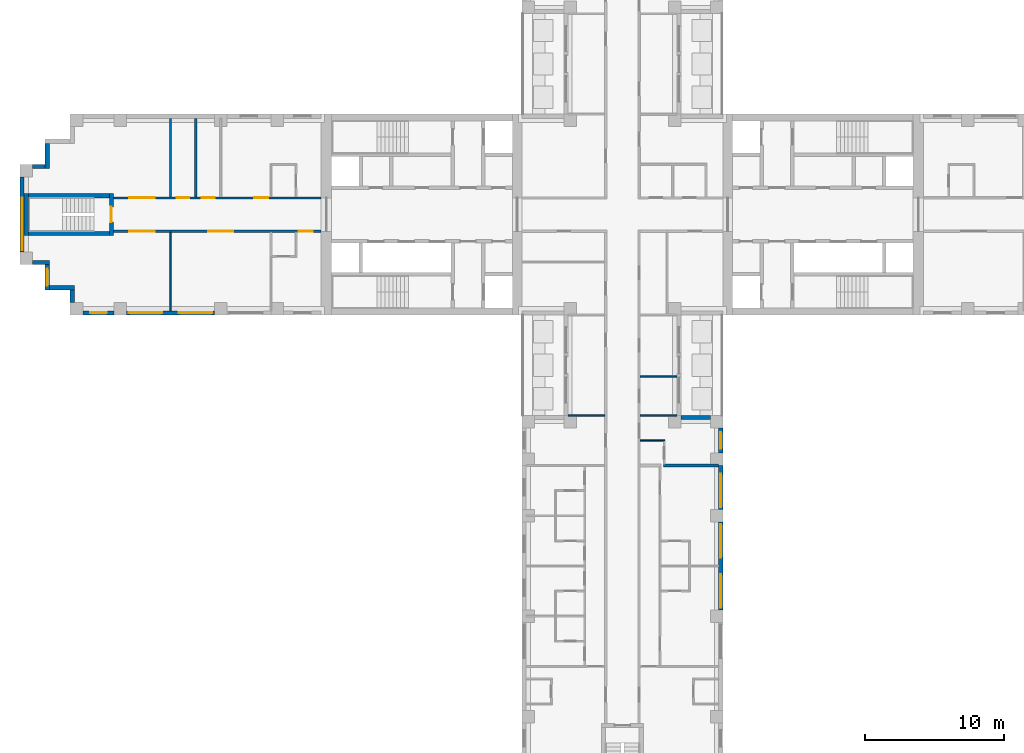
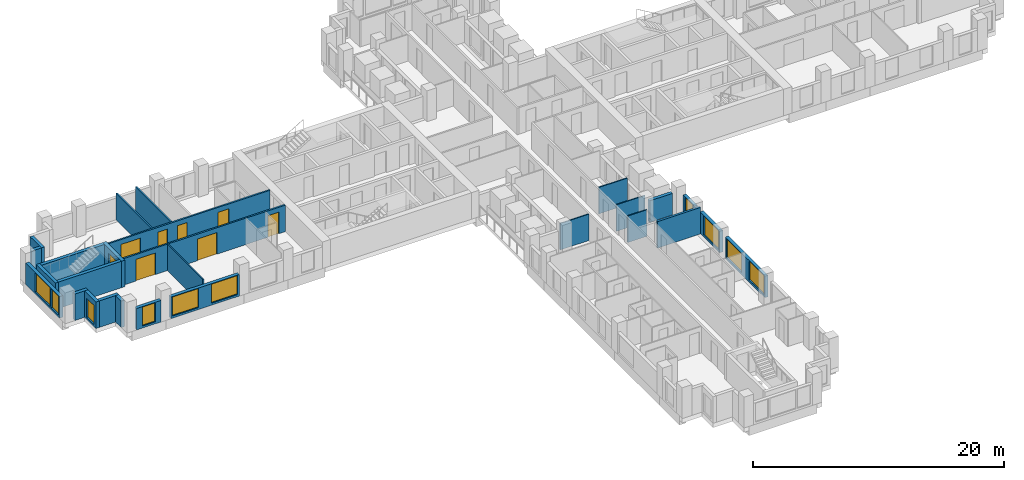
# One storey, part 5 of 13: 27 walls, 10 windows, 8 doors, 18 openings.
"""IFC4 building model written with IfcOpenShell, lengths in metres."""

from ifc_helpers import new_model, si_unit, direction, frame, frame_2d, origin, place, context, subcontext, project, spatial, rectangle, extrude, material, layer, layer_set, type_object, element, fill, save


model = new_model("IFC4")

# Units and contexts
model_context = context("Model", 3, precision=1e-05, world=origin(), true_north=direction((0.0, 1.0)))
body_context = subcontext(model_context, "Body", "Model", "MODEL_VIEW")
ifc_project = project(units=[si_unit("LENGTHUNIT", "METRE"), si_unit("AREAUNIT", "SQUARE_METRE"), si_unit("VOLUMEUNIT", "CUBIC_METRE"), si_unit("PLANEANGLEUNIT", "RADIAN"), si_unit("MASSUNIT", "GRAM", prefix="KILO")], contexts=[model_context])

# Site, building, storey
site_placement = place(None, origin())
site = spatial("IfcSite", under=ifc_project, at=site_placement, CompositionType="ELEMENT")
building_placement = place(site_placement, origin())
building = spatial("IfcBuilding", under=site, at=building_placement, Name="Fustian Cross Tower", CompositionType="ELEMENT")
storey_placement = place(building_placement, frame((0.0, 0.0, 84.89990234375)))
storey = spatial("IfcBuildingStorey", under=building, at=storey_placement, Name="L26", CompositionType="ELEMENT", Elevation=84.89990234375)

# Wall, openings, doors
ifc_material_1 = material(Name="Plasterboard on steel stud", Category="steel")
ifc_layer_1 = layer(ifc_material_1, 0.14990234375)
ifc_layer_set_1 = layer_set([ifc_layer_1], Name="Plasterboard on steel stud")
wall_type_1 = type_object("IfcWallType", Name="COMPARTMENT WALL 150 EI 60", PredefinedType="PARTITIONING", material=ifc_layer_set_1)
wall_1_placement = place(storey_placement, frame((-36.5, -1.199951171875, 0.0), z_axis=(0.0, 0.0, 1.0), x_axis=(1.0, 0.0, 0.0)))
wall_1 = element("IfcWall", 1, at=wall_1_placement, inside=storey, type_object=wall_type_1, Name="Partition 1", PredefinedType="PARTITIONING", context=body_context, shape_type="SweptSolid", body=[
    extrude(rectangle(XDim=14.89990234375, YDim=0.14990234375, at=frame_2d((7.449951171875, 0.0))), origin(), (0.0, 0.0, 1.0), 2.5751953125),
])
opening_1_placement = place(wall_1_placement, frame((13.300048828125, 0.0, 0.0)))
opening_1 = element("IfcOpeningElement", 2, at=opening_1_placement, cuts=wall_1, Name="Opening D13024", PredefinedType="OPENING", context=body_context, shape_type="SweptSolid", body=[
    extrude(rectangle(XDim=1.0, YDim=2.10009765625, at=frame_2d((0.5, 1.050048828125))), frame((0.0, 0.0849609375, 0.0), z_axis=(0.0, -1.0, 0.0), x_axis=(1.0, 0.0, 0.0)), (0.0, 0.0, 1.0), 0.169921875),
])
opening_2_placement = place(wall_1_placement, frame((6.800048828125, 0.0, 0.0)))
opening_2 = element("IfcOpeningElement", 3, at=opening_2_placement, cuts=wall_1, Name="Opening D13025", PredefinedType="OPENING", context=body_context, shape_type="SweptSolid", body=[
    extrude(rectangle(XDim=1.800048828125, YDim=2.10009765625, at=frame_2d((0.89990234375, 1.050048828125))), frame((0.0, 0.0849609375, 0.0), z_axis=(0.0, -1.0, 0.0), x_axis=(1.0, 0.0, 0.0)), (0.0, 0.0, 1.0), 0.169921875),
])
opening_3_placement = place(wall_1_placement, frame((1.14990234375, 0.0, 0.0)))
opening_3 = element("IfcOpeningElement", 4, at=opening_3_placement, cuts=wall_1, Name="Opening D13026", PredefinedType="OPENING", context=body_context, shape_type="SweptSolid", body=[
    extrude(rectangle(XDim=1.800048828125, YDim=2.10009765625, at=frame_2d((0.89990234375, 1.050048828125))), frame((0.0, 0.0849609375, 0.0), z_axis=(0.0, -1.0, 0.0), x_axis=(1.0, 0.0, 0.0)), (0.0, 0.0, 1.0), 0.169921875),
])
ifc_material_2 = material(Name="Timber fire door set", Category="wood")
door_type_1 = type_object("IfcDoorType", Name="FIRE DOUBLE DOOR 1800 FD30S", OperationType="DOUBLE_DOOR_DOUBLE_SWING", PredefinedType="DOOR", material=ifc_material_2)
door_1_placement = place(opening_2_placement, origin())
door_1 = element("IfcDoor", 5, at=door_1_placement, inside=storey, type_object=door_type_1, Name="Door D13025", OperationType="DOUBLE_DOOR_DOUBLE_SWING", OverallHeight=2.10009765625, OverallWidth=1.800048828125, PredefinedType="DOOR", context=body_context, shape_type="SweptSolid", body=[
    extrude(rectangle(XDim=1.800048828125, YDim=2.10009765625, at=frame_2d((0.89990234375, 1.050048828125))), frame((0.0, 0.02490234375, 0.0), z_axis=(0.0, -1.0, 0.0), x_axis=(1.0, 0.0, 0.0)), (0.0, 0.0, 1.0), 0.050048828125),
])
fill(opening_2, door_1)
door_2_placement = place(opening_3_placement, origin())
door_2 = element("IfcDoor", 6, at=door_2_placement, inside=storey, type_object=door_type_1, Name="Door D13026", OperationType="DOUBLE_DOOR_DOUBLE_SWING", OverallHeight=2.10009765625, OverallWidth=1.800048828125, PredefinedType="DOOR", context=body_context, shape_type="SweptSolid", body=[
    extrude(rectangle(XDim=1.800048828125, YDim=2.10009765625, at=frame_2d((0.89990234375, 1.050048828125))), frame((0.0, 0.02490234375, 0.0), z_axis=(0.0, -1.0, 0.0), x_axis=(1.0, 0.0, 0.0)), (0.0, 0.0, 1.0), 0.050048828125),
])
fill(opening_3, door_2)
ifc_material_3 = material(Name="Timber fire door set", Category="wood")
door_type_2 = type_object("IfcDoorType", Name="FIRE SWING DOOR 1000 FD30S", OperationType="SINGLE_SWING_LEFT", PredefinedType="DOOR", material=ifc_material_3)
door_3_placement = place(opening_1_placement, frame((1.0, 0.0, 0.0), z_axis=(0.0, 0.0, 1.0), x_axis=(-1.0, 0.0, 0.0)))
door_3 = element("IfcDoor", 7, at=door_3_placement, inside=storey, type_object=door_type_2, Name="Door D13024", OperationType="SINGLE_SWING_RIGHT", OverallHeight=2.10009765625, OverallWidth=1.0, PredefinedType="DOOR", context=body_context, shape_type="SweptSolid", body=[
    extrude(rectangle(XDim=1.0, YDim=2.10009765625, at=frame_2d((0.5, 1.050048828125))), frame((0.0, 0.02490234375, 0.0), z_axis=(0.0, -1.0, 0.0), x_axis=(1.0, 0.0, 0.0)), (0.0, 0.0, 1.0), 0.050048828125),
])
fill(opening_1, door_3)

wall_2_placement = place(storey_placement, frame((-36.5, 1.199951171875, 0.0), z_axis=(0.0, 0.0, 1.0), x_axis=(1.0, 0.0, 0.0)))
wall_2 = element("IfcWall", 8, at=wall_2_placement, inside=storey, type_object=wall_type_1, Name="Partition 2", PredefinedType="PARTITIONING", context=body_context, shape_type="SweptSolid", body=[
    extrude(rectangle(XDim=14.89990234375, YDim=0.14990234375, at=frame_2d((7.449951171875, 0.0))), origin(), (0.0, 0.0, 1.0), 2.5751953125),
])
opening_4_placement = place(wall_2_placement, frame((10.10009765625, 0.0, 0.0)))
opening_4 = element("IfcOpeningElement", 9, at=opening_4_placement, cuts=wall_2, Name="Opening D13028", PredefinedType="OPENING", context=body_context, shape_type="SweptSolid", body=[
    extrude(rectangle(XDim=1.0, YDim=2.10009765625, at=frame_2d((0.5, 1.050048828125))), frame((0.0, 0.0849609375, 0.0), z_axis=(0.0, -1.0, 0.0), x_axis=(1.0, 0.0, 0.0)), (0.0, 0.0, 1.0), 0.169921875),
])
opening_5_placement = place(wall_2_placement, frame((6.35009765625, 0.0, 0.0)))
opening_5 = element("IfcOpeningElement", 10, at=opening_5_placement, cuts=wall_2, Name="Opening D13029", PredefinedType="OPENING", context=body_context, shape_type="SweptSolid", body=[
    extrude(rectangle(XDim=0.89990234375, YDim=2.10009765625, at=frame_2d((0.449951171875, 1.050048828125))), frame((0.0, 0.0849609375, 0.0), z_axis=(0.0, -1.0, 0.0), x_axis=(1.0, 0.0, 0.0)), (0.0, 0.0, 1.0), 0.169921875),
])
opening_6_placement = place(wall_2_placement, frame((4.550048828125, 0.0, 0.0)))
opening_6 = element("IfcOpeningElement", 11, at=opening_6_placement, cuts=wall_2, Name="Opening D13030", PredefinedType="OPENING", context=body_context, shape_type="SweptSolid", body=[
    extrude(rectangle(XDim=0.89990234375, YDim=2.10009765625, at=frame_2d((0.449951171875, 1.050048828125))), frame((0.0, 0.0849609375, 0.0), z_axis=(0.0, -1.0, 0.0), x_axis=(1.0, 0.0, 0.0)), (0.0, 0.0, 1.0), 0.169921875),
])
opening_7_placement = place(wall_2_placement, frame((1.14990234375, 0.0, 0.0)))
opening_7 = element("IfcOpeningElement", 12, at=opening_7_placement, cuts=wall_2, Name="Opening D13031", PredefinedType="OPENING", context=body_context, shape_type="SweptSolid", body=[
    extrude(rectangle(XDim=1.800048828125, YDim=2.10009765625, at=frame_2d((0.89990234375, 1.050048828125))), frame((0.0, 0.0849609375, 0.0), z_axis=(0.0, -1.0, 0.0), x_axis=(1.0, 0.0, 0.0)), (0.0, 0.0, 1.0), 0.169921875),
])
door_4_placement = place(opening_7_placement, frame((1.800048828125, 0.0, 0.0), z_axis=(0.0, 0.0, 1.0), x_axis=(-1.0, 0.0, 0.0)))
door_4 = element("IfcDoor", 13, at=door_4_placement, inside=storey, type_object=door_type_1, Name="Door D13031", OperationType="DOUBLE_DOOR_DOUBLE_SWING", OverallHeight=2.10009765625, OverallWidth=1.800048828125, PredefinedType="DOOR", context=body_context, shape_type="SweptSolid", body=[
    extrude(rectangle(XDim=1.800048828125, YDim=2.10009765625, at=frame_2d((0.89990234375, 1.050048828125))), frame((0.0, 0.02490234375, 0.0), z_axis=(0.0, -1.0, 0.0), x_axis=(1.0, 0.0, 0.0)), (0.0, 0.0, 1.0), 0.050048828125),
])
fill(opening_7, door_4)
door_5_placement = place(opening_4_placement, origin())
door_5 = element("IfcDoor", 14, at=door_5_placement, inside=storey, type_object=door_type_2, Name="Door D13028", OperationType="SINGLE_SWING_RIGHT", OverallHeight=2.10009765625, OverallWidth=1.0, PredefinedType="DOOR", context=body_context, shape_type="SweptSolid", body=[
    extrude(rectangle(XDim=1.0, YDim=2.10009765625, at=frame_2d((0.5, 1.050048828125))), frame((0.0, 0.02490234375, 0.0), z_axis=(0.0, -1.0, 0.0), x_axis=(1.0, 0.0, 0.0)), (0.0, 0.0, 1.0), 0.050048828125),
])
fill(opening_4, door_5)
ifc_material_4 = material(Name="Timber fire door set", Category="wood")
door_type_3 = type_object("IfcDoorType", Name="FIRE SWING DOOR 900 FD30S", OperationType="SINGLE_SWING_LEFT", PredefinedType="DOOR", material=ifc_material_4)
door_6_placement = place(opening_5_placement, origin())
door_6 = element("IfcDoor", 15, at=door_6_placement, inside=storey, type_object=door_type_3, Name="Door D13029", OperationType="SINGLE_SWING_RIGHT", OverallHeight=2.10009765625, OverallWidth=0.89990234375, PredefinedType="DOOR", context=body_context, shape_type="SweptSolid", body=[
    extrude(rectangle(XDim=0.89990234375, YDim=2.10009765625, at=frame_2d((0.449951171875, 1.050048828125))), frame((0.0, 0.02490234375, 0.0), z_axis=(0.0, -1.0, 0.0), x_axis=(1.0, 0.0, 0.0)), (0.0, 0.0, 1.0), 0.050048828125),
])
fill(opening_5, door_6)
door_7_placement = place(opening_6_placement, origin())
door_7 = element("IfcDoor", 16, at=door_7_placement, inside=storey, type_object=door_type_3, Name="Door D13030", OperationType="SINGLE_SWING_RIGHT", OverallHeight=2.10009765625, OverallWidth=0.89990234375, PredefinedType="DOOR", context=body_context, shape_type="SweptSolid", body=[
    extrude(rectangle(XDim=0.89990234375, YDim=2.10009765625, at=frame_2d((0.449951171875, 1.050048828125))), frame((0.0, 0.02490234375, 0.0), z_axis=(0.0, -1.0, 0.0), x_axis=(1.0, 0.0, 0.0)), (0.0, 0.0, 1.0), 0.050048828125),
])
fill(opening_6, door_7)

# Walls
for number, where, z_axis, x_axis, name in (
    (17, (-32.39990234375, 1.27490234375, 0.0), (0.0, 0.0, 1.0), (0.0, 1.0, 0.0), "Partition 4"),
    (18, (-30.60009765625, 1.27490234375, 0.0), (0.0, 0.0, 1.0), (0.0, 1.0, 0.0), "Partition 5"),
):
    element("IfcWall", number, at=place(storey_placement, frame(where, z_axis=z_axis, x_axis=x_axis)), inside=storey, type_object=wall_type_1, Name=name, PredefinedType="PARTITIONING", context=body_context, shape_type="SweptSolid", body=[
        extrude(rectangle(XDim=5.625, YDim=0.14990234375, at=frame_2d((2.8125, 0.0))), origin(), (0.0, 0.0, 1.0), 2.5751953125),
    ])
ifc_material_5 = material(Name="Plasterboard on steel stud", Category="steel")
ifc_layer_2 = layer(ifc_material_5, 0.10009765625)
ifc_layer_set_2 = layer_set([ifc_layer_2], Name="Plasterboard on steel stud")
wall_type_2 = type_object("IfcWallType", Name="PARTITION 100 STUD", PredefinedType="PARTITIONING", material=ifc_layer_set_2)
wall_3_placement = place(storey_placement, frame((-32.39990234375, -6.89990234375, 0.0), z_axis=(0.0, 0.0, 1.0), x_axis=(0.0, 1.0, 0.0)))
element("IfcWall", 19, at=wall_3_placement, inside=storey, type_object=wall_type_2, Name="Partition 3", PredefinedType="PARTITIONING", context=body_context, shape_type="SweptSolid", body=[
    extrude(rectangle(XDim=5.625, YDim=0.10009765625, at=frame_2d((2.8125, 0.0))), origin(), (0.0, 0.0, 1.0), 2.5751953125),
])
wall_4_placement = place(storey_placement, frame((-3.89990234375, -14.39990234375, 0.0), z_axis=(0.0, 0.0, 1.0), x_axis=(1.0, 0.0, 0.0)))
element("IfcWall", 20, at=wall_4_placement, inside=storey, type_object=wall_type_2, Name="Partition 31", PredefinedType="PARTITIONING", context=body_context, shape_type="SweptSolid", body=[
    extrude(rectangle(XDim=2.625, YDim=0.10009765625, at=frame_2d((1.3125, 0.0))), origin(), (0.0, 0.0, 1.0), 2.5751953125),
])
wall_5_placement = place(storey_placement, frame((1.27490234375, -16.199951171875, 0.0), z_axis=(0.0, 0.0, 1.0), x_axis=(1.0, 0.0, 0.0)))
element("IfcWall", 21, at=wall_5_placement, inside=storey, type_object=wall_type_2, Name="Partition 44", PredefinedType="PARTITIONING", context=body_context, shape_type="SweptSolid", body=[
    extrude(rectangle(XDim=1.775146484375, YDim=0.10009765625, at=frame_2d((0.8876953125, 0.0))), origin(), (0.0, 0.0, 1.0), 2.5751953125),
])
for number, where, z_axis, x_axis, name in (
    (22, (1.27490234375, -14.39990234375, 0.0), (0.0, 0.0, 1.0), (1.0, 0.0, 0.0), "Partition 45"),
    (23, (1.27490234375, -11.60009765625, 0.0), (0.0, 0.0, 1.0), (1.0, 0.0, 0.0), "Partition 46"),
):
    element("IfcWall", number, at=place(storey_placement, frame(where, z_axis=z_axis, x_axis=x_axis)), inside=storey, type_object=wall_type_2, Name=name, PredefinedType="PARTITIONING", context=body_context, shape_type="SweptSolid", body=[
        extrude(rectangle(XDim=2.625, YDim=0.10009765625, at=frame_2d((1.3125, 0.0))), origin(), (0.0, 0.0, 1.0), 2.5751953125),
    ])
ifc_material_6 = material(Name="Plasterboard on steel stud", Category="steel")
ifc_layer_3 = layer(ifc_material_6, 0.199951171875)
ifc_layer_set_3 = layer_set([ifc_layer_3], Name="Plasterboard on steel stud")
wall_type_3 = type_object("IfcWallType", Name="PARTY WALL 200 EI 60", PredefinedType="PARTITIONING", material=ifc_layer_set_3)
wall_6_placement = place(storey_placement, frame((2.949951171875, -18.0, 0.0), z_axis=(0.0, 0.0, 1.0), x_axis=(1.0, 0.0, 0.0)))
element("IfcWall", 24, at=wall_6_placement, inside=storey, type_object=wall_type_3, Name="Partition 61", PredefinedType="PARTITIONING", context=body_context, shape_type="SweptSolid", body=[
    extrude(rectangle(XDim=3.949951171875, YDim=0.199951171875, at=frame_2d((1.97509765625, 0.0))), origin(), (0.0, 0.0, 1.0), 2.5751953125),
])

# Wall, opening, door
ifc_material_7 = material(Name="Concrete C50/60", Category="concrete")
ifc_layer_4 = layer(ifc_material_7, 0.300048828125)
ifc_layer_set_4 = layer_set([ifc_layer_4], Name="Concrete C50/60")
wall_type_4 = type_object("IfcWallType", Name="STAIR ENCLOSURE WALL 300 C50/60", PredefinedType="SHEAR", material=ifc_layer_set_4)
wall_7_placement = place(storey_placement, frame((-36.64990234375, -1.5, 0.0), z_axis=(0.0, 0.0, 1.0), x_axis=(0.0, 1.0, 0.0)))
wall_7 = element("IfcWall", 25, at=wall_7_placement, inside=storey, type_object=wall_type_4, Name="Stair enclosure wall", PredefinedType="SHEAR", context=body_context, shape_type="SweptSolid", body=[
    extrude(rectangle(XDim=3.0, YDim=0.300048828125, at=frame_2d((1.5, 0.0))), origin(), (0.0, 0.0, 1.0), 2.5751953125),
])
opening_8_placement = place(wall_7_placement, frame((0.949951171875, 0.0, 0.0)))
opening_8 = element("IfcOpeningElement", 26, at=opening_8_placement, cuts=wall_7, Name="Opening CD-11-33", PredefinedType="OPENING", context=body_context, shape_type="SweptSolid", body=[
    extrude(rectangle(XDim=1.10009765625, YDim=2.10009765625, at=frame_2d((0.550048828125, 1.050048828125))), frame((0.0, 0.159912109375, 0.0), z_axis=(0.0, -1.0, 0.0), x_axis=(1.0, 0.0, 0.0)), (0.0, 0.0, 1.0), 0.320068359375),
])
ifc_material_8 = material(Name="Steel", Category="steel")
door_type_4 = type_object("IfcDoorType", Name="FIRE DOOR FD60S 1100X2100", OperationType="SINGLE_SWING_LEFT", PredefinedType="DOOR", material=ifc_material_8)
door_8_placement = place(opening_8_placement, origin())
door_8 = element("IfcDoor", 27, at=door_8_placement, inside=storey, type_object=door_type_4, Name="Core door CD-11-33", OperationType="SINGLE_SWING_LEFT", OverallHeight=2.10009765625, OverallWidth=1.10009765625, PredefinedType="DOOR", context=body_context, shape_type="SweptSolid", body=[
    extrude(rectangle(XDim=1.10009765625, YDim=2.10009765625, at=frame_2d((0.550048828125, 1.050048828125))), frame((0.0, 0.02490234375, 0.0), z_axis=(0.0, -1.0, 0.0), x_axis=(1.0, 0.0, 0.0)), (0.0, 0.0, 1.0), 0.050048828125),
])
fill(opening_8, door_8)

# Walls
wall_8_placement = place(storey_placement, frame((-42.75, -1.5, 0.0), z_axis=(0.0, 0.0, 1.0), x_axis=(0.0, 1.0, 0.0)))
element("IfcWall", 28, at=wall_8_placement, inside=storey, type_object=wall_type_4, Name="Stair enclosure wall", PredefinedType="SHEAR", context=body_context, shape_type="SweptSolid", body=[
    extrude(rectangle(XDim=3.0, YDim=0.300048828125, at=frame_2d((1.5, 0.0))), origin(), (0.0, 0.0, 1.0), 2.5751953125),
])
for number, where, z_axis, x_axis, name in (
    (29, (-36.800048828125, -1.35009765625, 0.0), (0.0, 0.0, 1.0), (-1.0, 0.0, 0.0), "Stair enclosure wall"),
    (30, (-36.800048828125, 1.35009765625, 0.0), (0.0, 0.0, 1.0), (-1.0, 0.0, 0.0), "Stair enclosure wall"),
):
    element("IfcWall", number, at=place(storey_placement, frame(where, z_axis=z_axis, x_axis=x_axis)), inside=storey, type_object=wall_type_4, Name=name, PredefinedType="SHEAR", context=body_context, shape_type="SweptSolid", body=[
        extrude(rectangle(XDim=5.800048828125, YDim=0.300048828125, at=frame_2d((2.89990234375, 0.0))), origin(), (0.0, 0.0, 1.0), 2.5751953125),
    ])
ifc_material_9 = material(Name="Dark aluminium cladding on insulated backing wall", Category="aluminium")
ifc_layer_5 = layer(ifc_material_9, 0.300048828125)
ifc_layer_set_5 = layer_set([ifc_layer_5], Name="Dark aluminium cladding on insulated backing wall")
wall_type_5 = type_object("IfcWallType", Name="XW1 EXTERNAL WALL 300", PredefinedType="SOLIDWALL", material=ifc_layer_set_5)
wall_9_placement = place(storey_placement, frame((-41.25, 5.10009765625, 0.0), z_axis=(0.0, 0.0, 1.0), x_axis=(0.0, -1.0, 0.0)))
element("IfcWall", 31, at=wall_9_placement, inside=storey, type_object=wall_type_5, Name="External wall", PredefinedType="SOLIDWALL", context=body_context, shape_type="SweptSolid", body=[
    extrude(rectangle(XDim=1.800048828125, YDim=0.300048828125, at=frame_2d((0.89990234375, 0.0))), origin(), (0.0, 0.0, 1.0), 2.5751953125),
])
wall_10_placement = place(storey_placement, frame((-41.39990234375, 3.449951171875, 0.0), z_axis=(0.0, 0.0, 1.0), x_axis=(-1.0, 0.0, 0.0)))
element("IfcWall", 32, at=wall_10_placement, inside=storey, type_object=wall_type_5, Name="External wall", PredefinedType="SOLIDWALL", context=body_context, shape_type="SweptSolid", body=[
    extrude(rectangle(XDim=0.900146484375, YDim=0.300048828125, at=frame_2d((0.4501953125, 0.0))), origin(), (0.0, 0.0, 1.0), 2.5751953125),
])

# Wall, openings, windows
wall_11_placement = place(storey_placement, frame((-43.050048828125, 2.699951171875, 0.0), z_axis=(0.0, 0.0, 1.0), x_axis=(0.0, -1.0, 0.0)))
wall_11 = element("IfcWall", 33, at=wall_11_placement, inside=storey, type_object=wall_type_5, Name="External wall", PredefinedType="SOLIDWALL", context=body_context, shape_type="SweptSolid", body=[
    extrude(rectangle(XDim=5.39990234375, YDim=0.300048828125, at=frame_2d((2.699951171875, 0.0))), origin(), (0.0, 0.0, 1.0), 2.10009765625),
])
opening_9_placement = place(wall_11_placement, frame((1.5, 0.0, 0.199951171875)))
opening_9 = element("IfcOpeningElement", 34, at=opening_9_placement, cuts=wall_11, Name="Opening WN1", PredefinedType="OPENING", context=body_context, shape_type="SweptSolid", body=[
    extrude(rectangle(XDim=2.39990234375, YDim=1.85009765625, at=frame_2d((1.199951171875, 0.925048828125))), frame((0.0, 0.159912109375, 0.0), z_axis=(0.0, -1.0, 0.0), x_axis=(1.0, 0.0, 0.0)), (0.0, 0.0, 1.0), 0.320068359375),
])
opening_10_placement = place(wall_11_placement, frame((4.050048828125, 0.0, 0.199951171875)))
opening_10 = element("IfcOpeningElement", 35, at=opening_10_placement, cuts=wall_11, Name="Opening WN3", PredefinedType="OPENING", context=body_context, shape_type="SweptSolid", body=[
    extrude(rectangle(XDim=1.199951171875, YDim=1.85009765625, at=frame_2d((0.60009765625, 0.925048828125))), frame((0.0, 0.159912109375, 0.0), z_axis=(0.0, -1.0, 0.0), x_axis=(1.0, 0.0, 0.0)), (0.0, 0.0, 1.0), 0.320068359375),
])
ifc_material_10 = material(Name="Dark anodised aluminium and double glazing", Category="aluminium")
window_type_1 = type_object("IfcWindowType", Name="WN1 WINDOW 2400X1850", PartitioningType="SINGLE_PANEL", PredefinedType="WINDOW", material=ifc_material_10)
window_1_placement = place(opening_9_placement, origin())
window_1 = element("IfcWindow", 36, at=window_1_placement, inside=storey, type_object=window_type_1, Name="Window", OverallHeight=1.85009765625, OverallWidth=2.39990234375, PartitioningType="SINGLE_PANEL", PredefinedType="WINDOW", context=body_context, shape_type="SweptSolid", body=[
    extrude(rectangle(XDim=2.39990234375, YDim=1.85009765625, at=frame_2d((1.199951171875, 0.925048828125))), frame((0.0, 0.030029296875, 0.0), z_axis=(0.0, -1.0, 0.0), x_axis=(1.0, 0.0, 0.0)), (0.0, 0.0, 1.0), 0.06005859375),
])
fill(opening_9, window_1)
ifc_material_11 = material(Name="Dark anodised aluminium and double glazing", Category="aluminium")
window_type_2 = type_object("IfcWindowType", Name="WN3 WINDOW 1200X1850", PartitioningType="SINGLE_PANEL", PredefinedType="WINDOW", material=ifc_material_11)
window_2_placement = place(opening_10_placement, origin())
window_2 = element("IfcWindow", 37, at=window_2_placement, inside=storey, type_object=window_type_2, Name="Window", OverallHeight=1.85009765625, OverallWidth=1.199951171875, PartitioningType="SINGLE_PANEL", PredefinedType="WINDOW", context=body_context, shape_type="SweptSolid", body=[
    extrude(rectangle(XDim=1.199951171875, YDim=1.85009765625, at=frame_2d((0.60009765625, 0.925048828125))), frame((0.0, 0.030029296875, 0.0), z_axis=(0.0, -1.0, 0.0), x_axis=(1.0, 0.0, 0.0)), (0.0, 0.0, 1.0), 0.06005859375),
])
fill(opening_10, window_2)

# Wall
wall_12_placement = place(storey_placement, frame((-42.300048828125, -3.449951171875, 0.0), z_axis=(0.0, 0.0, 1.0), x_axis=(1.0, 0.0, 0.0)))
element("IfcWall", 38, at=wall_12_placement, inside=storey, type_object=wall_type_5, Name="External wall", PredefinedType="SOLIDWALL", context=body_context, shape_type="SweptSolid", body=[
    extrude(rectangle(XDim=1.199951171875, YDim=0.300048828125, at=frame_2d((0.60009765625, 0.0))), origin(), (0.0, 0.0, 1.0), 2.5751953125),
])

# Wall, opening, window
wall_13_placement = place(storey_placement, frame((-41.25, -3.60009765625, 0.0), z_axis=(0.0, 0.0, 1.0), x_axis=(0.0, -1.0, 0.0)))
wall_13 = element("IfcWall", 39, at=wall_13_placement, inside=storey, type_object=wall_type_5, Name="External wall", PredefinedType="SOLIDWALL", context=body_context, shape_type="SweptSolid", body=[
    extrude(rectangle(XDim=1.7998046875, YDim=0.300048828125, at=frame_2d((0.89990234375, 0.0))), origin(), (0.0, 0.0, 1.0), 2.5751953125),
])
opening_11_placement = place(wall_13_placement, frame((0.300048828125, 0.0, 0.199951171875)))
opening_11 = element("IfcOpeningElement", 40, at=opening_11_placement, cuts=wall_13, Name="Opening WN3", PredefinedType="OPENING", context=body_context, shape_type="SweptSolid", body=[
    extrude(rectangle(XDim=1.199951171875, YDim=1.85009765625, at=frame_2d((0.60009765625, 0.925048828125))), frame((0.0, 0.159912109375, 0.0), z_axis=(0.0, -1.0, 0.0), x_axis=(1.0, 0.0, 0.0)), (0.0, 0.0, 1.0), 0.320068359375),
])
window_3_placement = place(opening_11_placement, origin())
window_3 = element("IfcWindow", 41, at=window_3_placement, inside=storey, type_object=window_type_2, Name="Window", OverallHeight=1.85009765625, OverallWidth=1.199951171875, PartitioningType="SINGLE_PANEL", PredefinedType="WINDOW", context=body_context, shape_type="SweptSolid", body=[
    extrude(rectangle(XDim=1.199951171875, YDim=1.85009765625, at=frame_2d((0.60009765625, 0.925048828125))), frame((0.0, 0.030029296875, 0.0), z_axis=(0.0, -1.0, 0.0), x_axis=(1.0, 0.0, 0.0)), (0.0, 0.0, 1.0), 0.06005859375),
])
fill(opening_11, window_3)

# Walls
wall_14_placement = place(storey_placement, frame((-41.10009765625, -5.25, 0.0), z_axis=(0.0, 0.0, 1.0), x_axis=(1.0, 0.0, 0.0)))
element("IfcWall", 42, at=wall_14_placement, inside=storey, type_object=wall_type_5, Name="External wall", PredefinedType="SOLIDWALL", context=body_context, shape_type="SweptSolid", body=[
    extrude(rectangle(XDim=1.800048828125, YDim=0.300048828125, at=frame_2d((0.89990234375, 0.0))), origin(), (0.0, 0.0, 1.0), 2.5751953125),
])
wall_15_placement = place(storey_placement, frame((-39.449951171875, -5.39990234375, 0.0), z_axis=(0.0, 0.0, 1.0), x_axis=(0.0, -1.0, 0.0)))
element("IfcWall", 43, at=wall_15_placement, inside=storey, type_object=wall_type_5, Name="External wall", PredefinedType="SOLIDWALL", context=body_context, shape_type="SweptSolid", body=[
    extrude(rectangle(XDim=0.900146484375, YDim=0.300048828125, at=frame_2d((0.4501953125, 0.0))), origin(), (0.0, 0.0, 1.0), 2.5751953125),
])

# Wall, opening, window
wall_16_placement = place(storey_placement, frame((-38.699951171875, -7.050048828125, 0.0), z_axis=(0.0, 0.0, 1.0), x_axis=(1.0, 0.0, 0.0)))
wall_16 = element("IfcWall", 44, at=wall_16_placement, inside=storey, type_object=wall_type_5, Name="External wall", PredefinedType="SOLIDWALL", context=body_context, shape_type="SweptSolid", body=[
    extrude(rectangle(XDim=2.25, YDim=0.300048828125, at=frame_2d((1.125, 0.0))), origin(), (0.0, 0.0, 1.0), 2.10009765625),
])
opening_12_placement = place(wall_16_placement, frame((0.52490234375, 0.0, 0.199951171875)))
opening_12 = element("IfcOpeningElement", 45, at=opening_12_placement, cuts=wall_16, Name="Opening WN3", PredefinedType="OPENING", context=body_context, shape_type="SweptSolid", body=[
    extrude(rectangle(XDim=1.199951171875, YDim=1.85009765625, at=frame_2d((0.60009765625, 0.925048828125))), frame((0.0, 0.159912109375, 0.0), z_axis=(0.0, -1.0, 0.0), x_axis=(1.0, 0.0, 0.0)), (0.0, 0.0, 1.0), 0.320068359375),
])
window_4_placement = place(opening_12_placement, origin())
window_4 = element("IfcWindow", 46, at=window_4_placement, inside=storey, type_object=window_type_2, Name="Window", OverallHeight=1.85009765625, OverallWidth=1.199951171875, PartitioningType="SINGLE_PANEL", PredefinedType="WINDOW", context=body_context, shape_type="SweptSolid", body=[
    extrude(rectangle(XDim=1.199951171875, YDim=1.85009765625, at=frame_2d((0.60009765625, 0.925048828125))), frame((0.0, 0.030029296875, 0.0), z_axis=(0.0, -1.0, 0.0), x_axis=(1.0, 0.0, 0.0)), (0.0, 0.0, 1.0), 0.06005859375),
])
fill(opening_12, window_4)

# Wall, openings, windows
wall_17_placement = place(storey_placement, frame((-35.550048828125, -7.050048828125, 0.0), z_axis=(0.0, 0.0, 1.0), x_axis=(1.0, 0.0, 0.0)))
wall_17 = element("IfcWall", 47, at=wall_17_placement, inside=storey, type_object=wall_type_5, Name="External wall", PredefinedType="SOLIDWALL", context=body_context, shape_type="SweptSolid", body=[
    extrude(rectangle(XDim=6.300048828125, YDim=0.300048828125, at=frame_2d((3.14990234375, 0.0))), origin(), (0.0, 0.0, 1.0), 2.10009765625),
])
opening_13_placement = place(wall_17_placement, frame((0.14990234375, 0.0, 0.199951171875)))
opening_13 = element("IfcOpeningElement", 48, at=opening_13_placement, cuts=wall_17, Name="Opening WN1", PredefinedType="OPENING", context=body_context, shape_type="SweptSolid", body=[
    extrude(rectangle(XDim=2.39990234375, YDim=1.85009765625, at=frame_2d((1.199951171875, 0.925048828125))), frame((0.0, 0.159912109375, 0.0), z_axis=(0.0, -1.0, 0.0), x_axis=(1.0, 0.0, 0.0)), (0.0, 0.0, 1.0), 0.320068359375),
])
opening_14_placement = place(wall_17_placement, frame((3.75, 0.0, 0.199951171875)))
opening_14 = element("IfcOpeningElement", 49, at=opening_14_placement, cuts=wall_17, Name="Opening WN1", PredefinedType="OPENING", context=body_context, shape_type="SweptSolid", body=[
    extrude(rectangle(XDim=2.39990234375, YDim=1.85009765625, at=frame_2d((1.199951171875, 0.925048828125))), frame((0.0, 0.159912109375, 0.0), z_axis=(0.0, -1.0, 0.0), x_axis=(1.0, 0.0, 0.0)), (0.0, 0.0, 1.0), 0.320068359375),
])
window_5_placement = place(opening_13_placement, origin())
window_5 = element("IfcWindow", 50, at=window_5_placement, inside=storey, type_object=window_type_1, Name="Window", OverallHeight=1.85009765625, OverallWidth=2.39990234375, PartitioningType="SINGLE_PANEL", PredefinedType="WINDOW", context=body_context, shape_type="SweptSolid", body=[
    extrude(rectangle(XDim=2.39990234375, YDim=1.85009765625, at=frame_2d((1.199951171875, 0.925048828125))), frame((0.0, 0.030029296875, 0.0), z_axis=(0.0, -1.0, 0.0), x_axis=(1.0, 0.0, 0.0)), (0.0, 0.0, 1.0), 0.06005859375),
])
fill(opening_13, window_5)
window_6_placement = place(opening_14_placement, origin())
window_6 = element("IfcWindow", 51, at=window_6_placement, inside=storey, type_object=window_type_1, Name="Window", OverallHeight=1.85009765625, OverallWidth=2.39990234375, PartitioningType="SINGLE_PANEL", PredefinedType="WINDOW", context=body_context, shape_type="SweptSolid", body=[
    extrude(rectangle(XDim=2.39990234375, YDim=1.85009765625, at=frame_2d((1.199951171875, 0.925048828125))), frame((0.0, 0.030029296875, 0.0), z_axis=(0.0, -1.0, 0.0), x_axis=(1.0, 0.0, 0.0)), (0.0, 0.0, 1.0), 0.06005859375),
])
fill(opening_14, window_6)

wall_18_placement = place(storey_placement, frame((7.050048828125, -28.35009765625, 0.0), z_axis=(0.0, 0.0, 1.0), x_axis=(0.0, 1.0, 0.0)))
wall_18 = element("IfcWall", 52, at=wall_18_placement, inside=storey, type_object=wall_type_5, Name="External wall", PredefinedType="SOLIDWALL", context=body_context, shape_type="SweptSolid", body=[
    extrude(rectangle(XDim=6.300048828125, YDim=0.300048828125, at=frame_2d((3.14990234375, 0.0))), origin(), (0.0, 0.0, 1.0), 2.10009765625),
])
opening_15_placement = place(wall_18_placement, frame((0.14990234375, 0.0, 0.199951171875)))
opening_15 = element("IfcOpeningElement", 53, at=opening_15_placement, cuts=wall_18, Name="Opening WN1", PredefinedType="OPENING", context=body_context, shape_type="SweptSolid", body=[
    extrude(rectangle(XDim=2.39990234375, YDim=1.85009765625, at=frame_2d((1.199951171875, 0.925048828125))), frame((0.0, 0.159912109375, 0.0), z_axis=(0.0, -1.0, 0.0), x_axis=(1.0, 0.0, 0.0)), (0.0, 0.0, 1.0), 0.320068359375),
])
opening_16_placement = place(wall_18_placement, frame((3.75, 0.0, 0.199951171875)))
opening_16 = element("IfcOpeningElement", 54, at=opening_16_placement, cuts=wall_18, Name="Opening WN1", PredefinedType="OPENING", context=body_context, shape_type="SweptSolid", body=[
    extrude(rectangle(XDim=2.39990234375, YDim=1.85009765625, at=frame_2d((1.199951171875, 0.925048828125))), frame((0.0, 0.159912109375, 0.0), z_axis=(0.0, -1.0, 0.0), x_axis=(1.0, 0.0, 0.0)), (0.0, 0.0, 1.0), 0.320068359375),
])
window_7_placement = place(opening_15_placement, origin())
window_7 = element("IfcWindow", 55, at=window_7_placement, inside=storey, type_object=window_type_1, Name="Window", OverallHeight=1.85009765625, OverallWidth=2.39990234375, PartitioningType="SINGLE_PANEL", PredefinedType="WINDOW", context=body_context, shape_type="SweptSolid", body=[
    extrude(rectangle(XDim=2.39990234375, YDim=1.85009765625, at=frame_2d((1.199951171875, 0.925048828125))), frame((0.0, 0.030029296875, 0.0), z_axis=(0.0, -1.0, 0.0), x_axis=(1.0, 0.0, 0.0)), (0.0, 0.0, 1.0), 0.06005859375),
])
fill(opening_15, window_7)
window_8_placement = place(opening_16_placement, origin())
window_8 = element("IfcWindow", 56, at=window_8_placement, inside=storey, type_object=window_type_1, Name="Window", OverallHeight=1.85009765625, OverallWidth=2.39990234375, PartitioningType="SINGLE_PANEL", PredefinedType="WINDOW", context=body_context, shape_type="SweptSolid", body=[
    extrude(rectangle(XDim=2.39990234375, YDim=1.85009765625, at=frame_2d((1.199951171875, 0.925048828125))), frame((0.0, 0.030029296875, 0.0), z_axis=(0.0, -1.0, 0.0), x_axis=(1.0, 0.0, 0.0)), (0.0, 0.0, 1.0), 0.06005859375),
])
fill(opening_16, window_8)

# Wall, opening, window
wall_19_placement = place(storey_placement, frame((7.050048828125, -21.14990234375, 0.0), z_axis=(0.0, 0.0, 1.0), x_axis=(0.0, 1.0, 0.0)))
wall_19 = element("IfcWall", 57, at=wall_19_placement, inside=storey, type_object=wall_type_5, Name="External wall", PredefinedType="SOLIDWALL", context=body_context, shape_type="SweptSolid", body=[
    extrude(rectangle(XDim=3.14990234375, YDim=0.300048828125, at=frame_2d((1.574951171875, 0.0))), origin(), (0.0, 0.0, 1.0), 2.10009765625),
])
opening_17_placement = place(wall_19_placement, frame((0.14990234375, 0.0, 0.199951171875)))
opening_17 = element("IfcOpeningElement", 58, at=opening_17_placement, cuts=wall_19, Name="Opening WN1", PredefinedType="OPENING", context=body_context, shape_type="SweptSolid", body=[
    extrude(rectangle(XDim=2.39990234375, YDim=1.85009765625, at=frame_2d((1.199951171875, 0.925048828125))), frame((0.0, 0.159912109375, 0.0), z_axis=(0.0, -1.0, 0.0), x_axis=(1.0, 0.0, 0.0)), (0.0, 0.0, 1.0), 0.320068359375),
])
window_9_placement = place(opening_17_placement, origin())
window_9 = element("IfcWindow", 59, at=window_9_placement, inside=storey, type_object=window_type_1, Name="Window", OverallHeight=1.85009765625, OverallWidth=2.39990234375, PartitioningType="SINGLE_PANEL", PredefinedType="WINDOW", context=body_context, shape_type="SweptSolid", body=[
    extrude(rectangle(XDim=2.39990234375, YDim=1.85009765625, at=frame_2d((1.199951171875, 0.925048828125))), frame((0.0, 0.030029296875, 0.0), z_axis=(0.0, -1.0, 0.0), x_axis=(1.0, 0.0, 0.0)), (0.0, 0.0, 1.0), 0.06005859375),
])
fill(opening_17, window_9)

wall_20_placement = place(storey_placement, frame((7.050048828125, -17.10009765625, 0.0), z_axis=(0.0, 0.0, 1.0), x_axis=(0.0, 1.0, 0.0)))
wall_20 = element("IfcWall", 60, at=wall_20_placement, inside=storey, type_object=wall_type_5, Name="External wall", PredefinedType="SOLIDWALL", context=body_context, shape_type="SweptSolid", body=[
    extrude(rectangle(XDim=1.800048828125, YDim=0.300048828125, at=frame_2d((0.89990234375, 0.0))), origin(), (0.0, 0.0, 1.0), 2.10009765625),
])
opening_18_placement = place(wall_20_placement, frame((0.300048828125, 0.0, 0.199951171875)))
opening_18 = element("IfcOpeningElement", 61, at=opening_18_placement, cuts=wall_20, Name="Opening WN3", PredefinedType="OPENING", context=body_context, shape_type="SweptSolid", body=[
    extrude(rectangle(XDim=1.199951171875, YDim=1.85009765625, at=frame_2d((0.60009765625, 0.925048828125))), frame((0.0, 0.159912109375, 0.0), z_axis=(0.0, -1.0, 0.0), x_axis=(1.0, 0.0, 0.0)), (0.0, 0.0, 1.0), 0.320068359375),
])
window_10_placement = place(opening_18_placement, origin())
window_10 = element("IfcWindow", 62, at=window_10_placement, inside=storey, type_object=window_type_2, Name="Window", OverallHeight=1.85009765625, OverallWidth=1.199951171875, PartitioningType="SINGLE_PANEL", PredefinedType="WINDOW", context=body_context, shape_type="SweptSolid", body=[
    extrude(rectangle(XDim=1.199951171875, YDim=1.85009765625, at=frame_2d((0.60009765625, 0.925048828125))), frame((0.0, 0.030029296875, 0.0), z_axis=(0.0, -1.0, 0.0), x_axis=(1.0, 0.0, 0.0)), (0.0, 0.0, 1.0), 0.06005859375),
])
fill(opening_18, window_10)

# Wall
wall_21_placement = place(storey_placement, frame((6.300048828125, -14.550048828125, 0.0), z_axis=(0.0, 0.0, 1.0), x_axis=(-1.0, 0.0, 0.0)))
element("IfcWall", 63, at=wall_21_placement, inside=storey, type_object=wall_type_5, Name="External wall", PredefinedType="SOLIDWALL", context=body_context, shape_type="SweptSolid", body=[
    extrude(rectangle(XDim=2.10009765625, YDim=0.300048828125, at=frame_2d((1.050048828125, 0.0))), origin(), (0.0, 0.0, 1.0), 2.10009765625),
])

save(model, "model.ifc")
